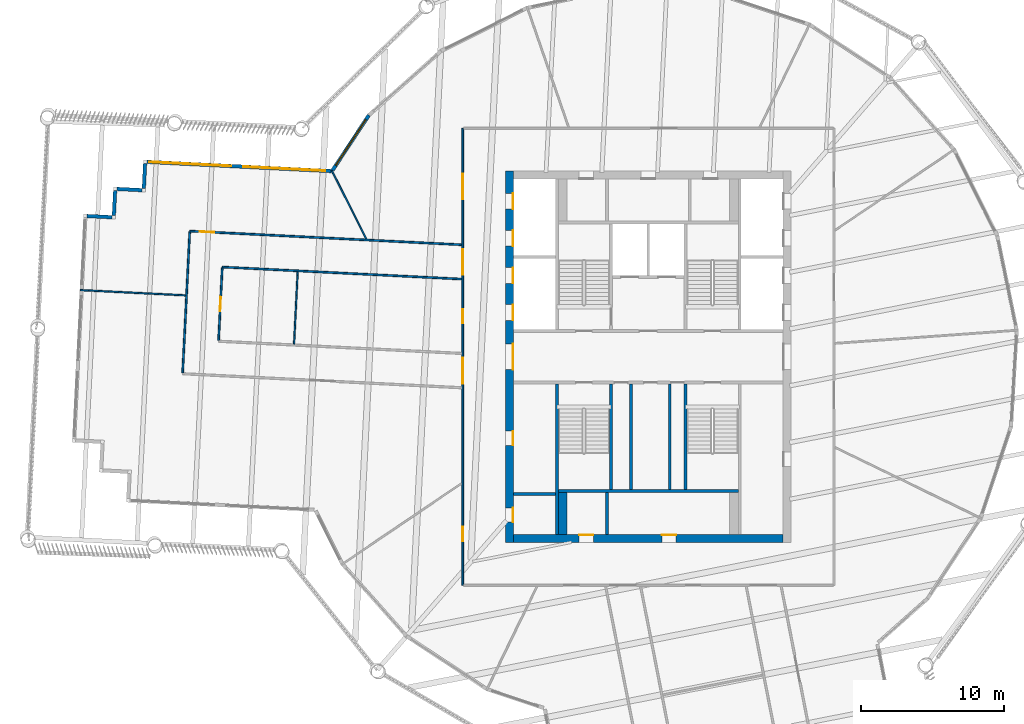
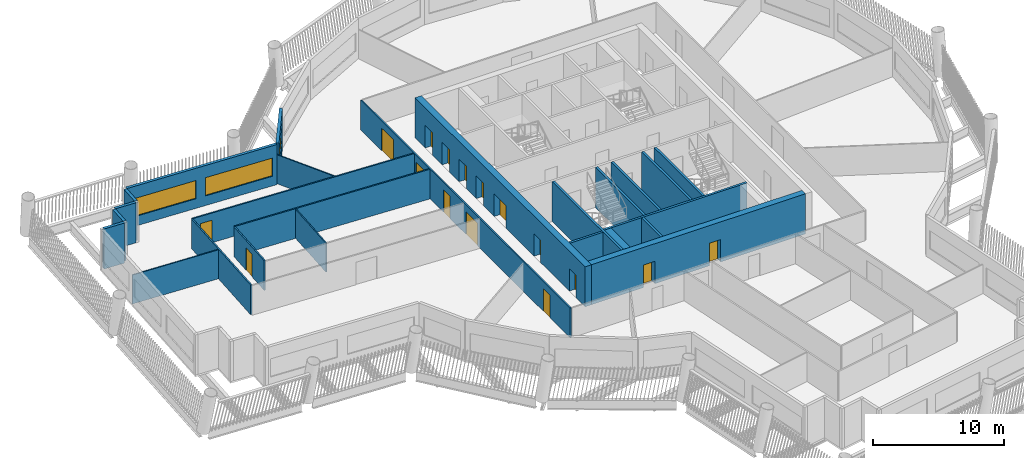
# One storey, part 4 of 14: 25 walls, 16 doors, 3 windows, 19 openings.
"""IFC4 building model written with IfcOpenShell, lengths in metres."""

from ifc_helpers import new_model, si_unit, direction, frame, frame_2d, origin, place, context, subcontext, project, spatial, rectangle, extrude, material, layer, layer_set, type_object, element, fill, save


model = new_model("IFC4")

# Units and contexts
model_context = context("Model", 3, precision=1e-05, world=origin(), true_north=direction((0.0, 1.0)))
body_context = subcontext(model_context, "Body", "Model", "MODEL_VIEW")
ifc_project = project(units=[si_unit("LENGTHUNIT", "METRE"), si_unit("AREAUNIT", "SQUARE_METRE"), si_unit("VOLUMEUNIT", "CUBIC_METRE"), si_unit("PLANEANGLEUNIT", "RADIAN"), si_unit("MASSUNIT", "GRAM", prefix="KILO")], contexts=[model_context])

# Site, building, storey
site_placement = place(None, origin())
site = spatial("IfcSite", under=ifc_project, at=site_placement, CompositionType="ELEMENT")
building_placement = place(site_placement, origin())
building = spatial("IfcBuilding", under=site, at=building_placement, Name="Tarsis Ring Headquarters", CompositionType="ELEMENT")
storey_placement = place(building_placement, frame((0.0, 0.0, 274.699951171875)))
storey = spatial("IfcBuildingStorey", under=building, at=storey_placement, Name="L64", CompositionType="ELEMENT", Elevation=274.699951171875)

# Walls
ifc_material_1 = material(Name="Blockwork", Category="masonry")
ifc_layer_1 = layer(ifc_material_1, 0.199951171875)
ifc_layer_set_1 = layer_set([ifc_layer_1], Name="Core blockwork wall 200")
wall_type_1 = type_object("IfcWallType", Name="Core blockwork wall 200", PredefinedType="PARTITIONING", material=ifc_layer_set_1)
for number, where, z_axis, x_axis, name in (
    (1, (-9.449951171875, -9.60009765625, 0.0), (0.0, 0.0, 1.0), (1.0, 0.0, 0.0), "Core partition WD1"),
    (2, (-2.89990234375, -12.449951171875, 0.0), (0.0, 0.0, 1.0), (0.0, 1.0, 0.0), "Core partition SD1"),
):
    element("IfcWall", number, at=place(storey_placement, frame(where, z_axis=z_axis, x_axis=x_axis)), inside=storey, type_object=wall_type_1, Name=name, PredefinedType="PARTITIONING", context=body_context, shape_type="SweptSolid", body=[
        extrude(rectangle(XDim=2.949951171875, YDim=0.199951171875, at=frame_2d((1.47509765625, 0.0))), origin(), (0.0, 0.0, 1.0), 3.739990234375),
    ])
for number, where, z_axis, x_axis, name in (
    (3, (-1.199951171875, -9.300048828125, 0.0), (0.0, 0.0, 1.0), (0.0, 1.0, 0.0), "Core partition SV1"),
    (4, (1.5, -9.300048828125, 0.0), (0.0, 0.0, 1.0), (0.0, 1.0, 0.0), "Core partition SV2"),
):
    element("IfcWall", number, at=place(storey_placement, frame(where, z_axis=z_axis, x_axis=x_axis)), inside=storey, type_object=wall_type_1, Name=name, PredefinedType="PARTITIONING", context=body_context, shape_type="SweptSolid", body=[
        extrude(rectangle(XDim=7.400146484375, YDim=0.199951171875, at=frame_2d((3.7001953125, 0.0))), origin(), (0.0, 0.0, 1.0), 3.739990234375),
    ])

# Wall, openings, doors
ifc_material_2 = material(Name="Concrete C50/60", Category="concrete")
ifc_layer_2 = layer(ifc_material_2, 0.550048828125)
ifc_layer_set_2 = layer_set([ifc_layer_2], Name="Core wall 550 C50/60")
wall_type_2 = type_object("IfcWallType", Name="Core wall 550 C50/60", PredefinedType="SHEAR", material=ifc_layer_set_2)
wall_1_placement = place(storey_placement, frame((-9.72509765625, -13.0, 0.0), z_axis=(0.0, 0.0, 1.0), x_axis=(0.0, 1.0, 0.0)))
wall_1 = element("IfcWall", 5, at=wall_1_placement, inside=storey, type_object=wall_type_2, Name="Core wall OW", PredefinedType="SHEAR", context=body_context, shape_type="SweptSolid", body=[
    extrude(rectangle(XDim=26.0, YDim=0.550048828125, at=frame_2d((13.0, 0.0))), origin(), (0.0, 0.0, 1.0), 3.739990234375),
])
opening_1_placement = place(wall_1_placement, frame((1.425048828125, 0.0, 0.0)))
opening_1 = element("IfcOpeningElement", 6, at=opening_1_placement, cuts=wall_1, Name="Opening L64-C01", PredefinedType="OPENING", context=body_context, shape_type="SweptSolid", body=[
    extrude(rectangle(XDim=1.0, YDim=2.10009765625, at=frame_2d((0.5, 1.050048828125))), frame((0.0, 0.284912109375, 0.0), z_axis=(0.0, -1.0, 0.0), x_axis=(1.0, 0.0, 0.0)), (0.0, 0.0, 1.0), 0.570068359375),
])
opening_2_placement = place(wall_1_placement, frame((6.800048828125, 0.0, 0.0)))
opening_2 = element("IfcOpeningElement", 7, at=opening_2_placement, cuts=wall_1, Name="Opening L64-C02", PredefinedType="OPENING", context=body_context, shape_type="SweptSolid", body=[
    extrude(rectangle(XDim=1.0, YDim=2.10009765625, at=frame_2d((0.5, 1.050048828125))), frame((0.0, 0.284912109375, 0.0), z_axis=(0.0, -1.0, 0.0), x_axis=(1.0, 0.0, 0.0)), (0.0, 0.0, 1.0), 0.570068359375),
])
opening_3_placement = place(wall_1_placement, frame((12.10009765625, 0.0, 0.0)))
opening_3 = element("IfcOpeningElement", 8, at=opening_3_placement, cuts=wall_1, Name="Opening L64-C03", PredefinedType="OPENING", context=body_context, shape_type="SweptSolid", body=[
    extrude(rectangle(XDim=1.800048828125, YDim=2.10009765625, at=frame_2d((0.89990234375, 1.050048828125))), frame((0.0, 0.284912109375, 0.0), z_axis=(0.0, -1.0, 0.0), x_axis=(1.0, 0.0, 0.0)), (0.0, 0.0, 1.0), 0.570068359375),
])
opening_4_placement = place(wall_1_placement, frame((15.550048828125, 0.0, 0.0)))
opening_4 = element("IfcOpeningElement", 9, at=opening_4_placement, cuts=wall_1, Name="Opening LD-HR1", PredefinedType="OPENING", context=body_context, shape_type="SweptSolid", body=[
    extrude(rectangle(XDim=1.10009765625, YDim=2.10009765625, at=frame_2d((0.550048828125, 1.050048828125))), frame((0.0, 0.284912109375, 0.0), z_axis=(0.0, -1.0, 0.0), x_axis=(1.0, 0.0, 0.0)), (0.0, 0.0, 1.0), 0.570068359375),
])
opening_5_placement = place(wall_1_placement, frame((18.14990234375, 0.0, 0.0)))
opening_5 = element("IfcOpeningElement", 10, at=opening_5_placement, cuts=wall_1, Name="Opening LD-HR2", PredefinedType="OPENING", context=body_context, shape_type="SweptSolid", body=[
    extrude(rectangle(XDim=1.10009765625, YDim=2.10009765625, at=frame_2d((0.550048828125, 1.050048828125))), frame((0.0, 0.284912109375, 0.0), z_axis=(0.0, -1.0, 0.0), x_axis=(1.0, 0.0, 0.0)), (0.0, 0.0, 1.0), 0.570068359375),
])
opening_6_placement = place(wall_1_placement, frame((20.75, 0.0, 0.0)))
opening_6 = element("IfcOpeningElement", 11, at=opening_6_placement, cuts=wall_1, Name="Opening LD-HR3", PredefinedType="OPENING", context=body_context, shape_type="SweptSolid", body=[
    extrude(rectangle(XDim=1.10009765625, YDim=2.10009765625, at=frame_2d((0.550048828125, 1.050048828125))), frame((0.0, 0.284912109375, 0.0), z_axis=(0.0, -1.0, 0.0), x_axis=(1.0, 0.0, 0.0)), (0.0, 0.0, 1.0), 0.570068359375),
])
opening_7_placement = place(wall_1_placement, frame((23.35009765625, 0.0, 0.0)))
opening_7 = element("IfcOpeningElement", 12, at=opening_7_placement, cuts=wall_1, Name="Opening LD-HR4", PredefinedType="OPENING", context=body_context, shape_type="SweptSolid", body=[
    extrude(rectangle(XDim=1.10009765625, YDim=2.10009765625, at=frame_2d((0.550048828125, 1.050048828125))), frame((0.0, 0.284912109375, 0.0), z_axis=(0.0, -1.0, 0.0), x_axis=(1.0, 0.0, 0.0)), (0.0, 0.0, 1.0), 0.570068359375),
])
ifc_material_3 = material(Name="Steel S355", Category="steel")
door_type_1 = type_object("IfcDoorType", Name="Core entry door 1800x2100", OperationType="DOUBLE_DOOR_SINGLE_SWING", PredefinedType="DOOR", material=ifc_material_3)
door_1_placement = place(opening_3_placement, origin())
door_1 = element("IfcDoor", 13, at=door_1_placement, inside=storey, type_object=door_type_1, Name="Core entry door L64", OperationType="DOUBLE_DOOR_SINGLE_SWING", OverallHeight=2.10009765625, OverallWidth=1.800048828125, PredefinedType="DOOR", context=body_context, shape_type="SweptSolid", body=[
    extrude(rectangle(XDim=1.800048828125, YDim=2.10009765625, at=frame_2d((0.89990234375, 1.050048828125))), frame((0.0, -0.22509765625, 0.0), z_axis=(0.0, -1.0, 0.0), x_axis=(1.0, 0.0, 0.0)), (0.0, 0.0, 1.0), 0.050048828125),
])
fill(opening_3, door_1)
door_type_2 = type_object("IfcDoorType", Name="Core room door 1000x2100", OperationType="SINGLE_SWING_LEFT", PredefinedType="DOOR", material=ifc_material_3)
door_2_placement = place(opening_1_placement, origin())
door_2 = element("IfcDoor", 14, at=door_2_placement, inside=storey, type_object=door_type_2, Name="Core room door L64", OperationType="SINGLE_SWING_LEFT", OverallHeight=2.10009765625, OverallWidth=1.0, PredefinedType="DOOR", context=body_context, shape_type="SweptSolid", body=[
    extrude(rectangle(XDim=1.0, YDim=2.10009765625, at=frame_2d((0.5, 1.050048828125))), frame((0.0, -0.22509765625, 0.0), z_axis=(0.0, -1.0, 0.0), x_axis=(1.0, 0.0, 0.0)), (0.0, 0.0, 1.0), 0.050048828125),
])
fill(opening_1, door_2)
door_3_placement = place(opening_2_placement, origin())
door_3 = element("IfcDoor", 15, at=door_3_placement, inside=storey, type_object=door_type_2, Name="Core room door L64", OperationType="SINGLE_SWING_LEFT", OverallHeight=2.10009765625, OverallWidth=1.0, PredefinedType="DOOR", context=body_context, shape_type="SweptSolid", body=[
    extrude(rectangle(XDim=1.0, YDim=2.10009765625, at=frame_2d((0.5, 1.050048828125))), frame((0.0, -0.22509765625, 0.0), z_axis=(0.0, -1.0, 0.0), x_axis=(1.0, 0.0, 0.0)), (0.0, 0.0, 1.0), 0.050048828125),
])
fill(opening_2, door_3)
door_type_3 = type_object("IfcDoorType", Name="Landing door 1100x2100", OperationType="SLIDING_TO_LEFT", PredefinedType="DOOR", material=ifc_material_3)
door_4_placement = place(opening_4_placement, origin())
door_4 = element("IfcDoor", 16, at=door_4_placement, inside=storey, type_object=door_type_3, Name="Landing door HR1 L64", OperationType="SLIDING_TO_LEFT", OverallHeight=2.10009765625, OverallWidth=1.10009765625, PredefinedType="DOOR", context=body_context, shape_type="SweptSolid", body=[
    extrude(rectangle(XDim=1.10009765625, YDim=2.10009765625, at=frame_2d((0.550048828125, 1.050048828125))), frame((0.0, -0.22509765625, 0.0), z_axis=(0.0, -1.0, 0.0), x_axis=(1.0, 0.0, 0.0)), (0.0, 0.0, 1.0), 0.050048828125),
])
fill(opening_4, door_4)
door_5_placement = place(opening_5_placement, origin())
door_5 = element("IfcDoor", 17, at=door_5_placement, inside=storey, type_object=door_type_3, Name="Landing door HR2 L64", OperationType="SLIDING_TO_LEFT", OverallHeight=2.10009765625, OverallWidth=1.10009765625, PredefinedType="DOOR", context=body_context, shape_type="SweptSolid", body=[
    extrude(rectangle(XDim=1.10009765625, YDim=2.10009765625, at=frame_2d((0.550048828125, 1.050048828125))), frame((0.0, -0.22509765625, 0.0), z_axis=(0.0, -1.0, 0.0), x_axis=(1.0, 0.0, 0.0)), (0.0, 0.0, 1.0), 0.050048828125),
])
fill(opening_5, door_5)
door_6_placement = place(opening_6_placement, origin())
door_6 = element("IfcDoor", 18, at=door_6_placement, inside=storey, type_object=door_type_3, Name="Landing door HR3 L64", OperationType="SLIDING_TO_LEFT", OverallHeight=2.10009765625, OverallWidth=1.10009765625, PredefinedType="DOOR", context=body_context, shape_type="SweptSolid", body=[
    extrude(rectangle(XDim=1.10009765625, YDim=2.10009765625, at=frame_2d((0.550048828125, 1.050048828125))), frame((0.0, -0.22509765625, 0.0), z_axis=(0.0, -1.0, 0.0), x_axis=(1.0, 0.0, 0.0)), (0.0, 0.0, 1.0), 0.050048828125),
])
fill(opening_6, door_6)
door_7_placement = place(opening_7_placement, origin())
door_7 = element("IfcDoor", 19, at=door_7_placement, inside=storey, type_object=door_type_3, Name="Landing door HR4 L64", OperationType="SLIDING_TO_LEFT", OverallHeight=2.10009765625, OverallWidth=1.10009765625, PredefinedType="DOOR", context=body_context, shape_type="SweptSolid", body=[
    extrude(rectangle(XDim=1.10009765625, YDim=2.10009765625, at=frame_2d((0.550048828125, 1.050048828125))), frame((0.0, -0.22509765625, 0.0), z_axis=(0.0, -1.0, 0.0), x_axis=(1.0, 0.0, 0.0)), (0.0, 0.0, 1.0), 0.050048828125),
])
fill(opening_7, door_7)

wall_2_placement = place(storey_placement, frame((-9.449951171875, -12.72509765625, 0.0), z_axis=(0.0, 0.0, 1.0), x_axis=(1.0, 0.0, 0.0)))
wall_2 = element("IfcWall", 20, at=wall_2_placement, inside=storey, type_object=wall_type_2, Name="Core wall OS", PredefinedType="SHEAR", context=body_context, shape_type="SweptSolid", body=[
    extrude(rectangle(XDim=18.89990234375, YDim=0.550048828125, at=frame_2d((9.449951171875, 0.0))), origin(), (0.0, 0.0, 1.0), 3.739990234375),
])
opening_8_placement = place(wall_2_placement, frame((4.60009765625, 0.0, 0.0)))
opening_8 = element("IfcOpeningElement", 21, at=opening_8_placement, cuts=wall_2, Name="Opening L64-C17", PredefinedType="OPENING", context=body_context, shape_type="SweptSolid", body=[
    extrude(rectangle(XDim=1.0, YDim=2.10009765625, at=frame_2d((0.5, 1.050048828125))), frame((0.0, 0.284912109375, 0.0), z_axis=(0.0, -1.0, 0.0), x_axis=(1.0, 0.0, 0.0)), (0.0, 0.0, 1.0), 0.570068359375),
])
opening_9_placement = place(wall_2_placement, frame((10.39990234375, 0.0, 0.0)))
opening_9 = element("IfcOpeningElement", 22, at=opening_9_placement, cuts=wall_2, Name="Opening L64-C18", PredefinedType="OPENING", context=body_context, shape_type="SweptSolid", body=[
    extrude(rectangle(XDim=1.0, YDim=2.10009765625, at=frame_2d((0.5, 1.050048828125))), frame((0.0, 0.284912109375, 0.0), z_axis=(0.0, -1.0, 0.0), x_axis=(1.0, 0.0, 0.0)), (0.0, 0.0, 1.0), 0.570068359375),
])
door_8_placement = place(opening_8_placement, origin())
door_8 = element("IfcDoor", 23, at=door_8_placement, inside=storey, type_object=door_type_2, Name="Core room door L64", OperationType="SINGLE_SWING_LEFT", OverallHeight=2.10009765625, OverallWidth=1.0, PredefinedType="DOOR", context=body_context, shape_type="SweptSolid", body=[
    extrude(rectangle(XDim=1.0, YDim=2.10009765625, at=frame_2d((0.5, 1.050048828125))), frame((0.0, 0.27490234375, 0.0), z_axis=(0.0, -1.0, 0.0), x_axis=(1.0, 0.0, 0.0)), (0.0, 0.0, 1.0), 0.050048828125),
])
fill(opening_8, door_8)
door_9_placement = place(opening_9_placement, origin())
door_9 = element("IfcDoor", 24, at=door_9_placement, inside=storey, type_object=door_type_2, Name="Core room door L64", OperationType="SINGLE_SWING_LEFT", OverallHeight=2.10009765625, OverallWidth=1.0, PredefinedType="DOOR", context=body_context, shape_type="SweptSolid", body=[
    extrude(rectangle(XDim=1.0, YDim=2.10009765625, at=frame_2d((0.5, 1.050048828125))), frame((0.0, 0.27490234375, 0.0), z_axis=(0.0, -1.0, 0.0), x_axis=(1.0, 0.0, 0.0)), (0.0, 0.0, 1.0), 0.050048828125),
])
fill(opening_9, door_9)

# Walls
ifc_material_4 = material(Name="Gypsum board on steel studs", Category="steel")
ifc_layer_3 = layer(ifc_material_4, 0.10009765625)
ifc_layer_set_3 = layer_set([ifc_layer_3], Name="FL partition 100 unrated")
wall_type_3 = type_object("IfcWallType", Name="FL partition 100 unrated", PredefinedType="PARTITIONING", material=ifc_layer_set_3)
wall_3_placement = place(storey_placement, frame((-39.765380859375, 4.673828125, 0.0), z_axis=(0.0, 0.0, 1.0), x_axis=(0.99873817255, -0.05022014228, 0.0)))
element("IfcWall", 25, at=wall_3_placement, inside=storey, type_object=wall_type_3, Name="Partition PW3", PredefinedType="PARTITIONING", context=body_context, shape_type="SweptSolid", body=[
    extrude(rectangle(XDim=7.369873046875, YDim=0.10009765625, at=frame_2d((3.68505859375, 0.0))), origin(), (0.0, 0.0, 1.0), 2.699951171875),
])
wall_4_placement = place(storey_placement, frame((-22.1748046875, 13.0556640625, 0.0), z_axis=(0.0, 0.0, 1.0), x_axis=(0.451950332757, -0.892043102502, 0.0)))
element("IfcWall", 26, at=wall_4_placement, inside=storey, type_object=wall_type_3, Name="Partition PW3", PredefinedType="PARTITIONING", context=body_context, shape_type="SweptSolid", body=[
    extrude(rectangle(XDim=5.373779296875, YDim=0.10009765625, at=frame_2d((2.68701171875, 0.0))), origin(), (0.0, 0.0, 1.0), 2.699951171875),
])
wall_5_placement = place(storey_placement, frame((-24.80615234375, 0.8974609375, 0.0), z_axis=(0.0, 0.0, 1.0), x_axis=(0.050226382173, 0.998737858767, 0.0)))
element("IfcWall", 27, at=wall_5_placement, inside=storey, type_object=wall_type_3, Name="Partition PW3", PredefinedType="PARTITIONING", context=body_context, shape_type="SweptSolid", body=[
    extrude(rectangle(XDim=5.06005859375, YDim=0.10009765625, at=frame_2d((2.530029296875, 0.0))), origin(), (0.0, 0.0, 1.0), 2.699951171875),
])

# Wall, openings, doors
ifc_layer_4 = layer(ifc_material_4, 0.125)
ifc_layer_set_4 = layer_set([ifc_layer_4], Name="FL partition 125 EI 60 H2770")
wall_type_4 = type_object("IfcWallType", Name="FL partition 125 EI 60 H2770", PredefinedType="PARTITIONING", material=ifc_layer_set_4)
wall_6_placement = place(storey_placement, frame((-13.0, -16.0, 0.0), z_axis=(0.0, 0.0, 1.0), x_axis=(0.0, 1.0, 0.0)))
wall_6 = element("IfcWall", 28, at=wall_6_placement, inside=storey, type_object=wall_type_4, Name="Partition PW1", PredefinedType="PARTITIONING", context=body_context, shape_type="SweptSolid", body=[
    extrude(rectangle(XDim=32.0, YDim=0.125, at=frame_2d((16.0, 0.0))), origin(), (0.0, 0.0, 1.0), 2.77001953125),
])
opening_10_placement = place(wall_6_placement, frame((27.021484375, 0.0, 0.0)))
opening_10 = element("IfcOpeningElement", 29, at=opening_10_placement, cuts=wall_6, Name="Opening D64.03", PredefinedType="OPENING", context=body_context, shape_type="SweptSolid", body=[
    extrude(rectangle(XDim=1.800048828125, YDim=2.10009765625, at=frame_2d((0.89990234375, 1.050048828125))), frame((0.0, 0.072509765625, 0.0), z_axis=(0.0, -1.0, 0.0), x_axis=(1.0, 0.0, 0.0)), (0.0, 0.0, 1.0), 0.14501953125),
])
opening_11_placement = place(wall_6_placement, frame((3.095947265625, 0.0, 0.0)))
opening_11 = element("IfcOpeningElement", 30, at=opening_11_placement, cuts=wall_6, Name="Opening D64.11", PredefinedType="OPENING", context=body_context, shape_type="SweptSolid", body=[
    extrude(rectangle(XDim=1.0, YDim=2.10009765625, at=frame_2d((0.5, 1.050048828125))), frame((0.0, 0.072509765625, 0.0), z_axis=(0.0, -1.0, 0.0), x_axis=(1.0, 0.0, 0.0)), (0.0, 0.0, 1.0), 0.14501953125),
])
opening_12_placement = place(wall_6_placement, frame((18.3369140625, 0.0, 0.0)))
opening_12 = element("IfcOpeningElement", 31, at=opening_12_placement, cuts=wall_6, Name="Opening D64.12", PredefinedType="OPENING", context=body_context, shape_type="SweptSolid", body=[
    extrude(rectangle(XDim=1.0, YDim=2.10009765625, at=frame_2d((0.5, 1.050048828125))), frame((0.0, 0.072509765625, 0.0), z_axis=(0.0, -1.0, 0.0), x_axis=(1.0, 0.0, 0.0)), (0.0, 0.0, 1.0), 0.14501953125),
])
opening_13_placement = place(wall_6_placement, frame((14.132080078125, 0.0, 0.0)))
opening_13 = element("IfcOpeningElement", 32, at=opening_13_placement, cuts=wall_6, Name="Opening D64.18", PredefinedType="OPENING", context=body_context, shape_type="SweptSolid", body=[
    extrude(rectangle(XDim=1.800048828125, YDim=2.10009765625, at=frame_2d((0.89990234375, 1.050048828125))), frame((0.0, 0.072509765625, 0.0), z_axis=(0.0, -1.0, 0.0), x_axis=(1.0, 0.0, 0.0)), (0.0, 0.0, 1.0), 0.14501953125),
])
opening_14_placement = place(wall_6_placement, frame((21.74169921875, 0.0, 0.0)))
opening_14 = element("IfcOpeningElement", 33, at=opening_14_placement, cuts=wall_6, Name="Opening D64.19", PredefinedType="OPENING", context=body_context, shape_type="SweptSolid", body=[
    extrude(rectangle(XDim=1.800048828125, YDim=2.10009765625, at=frame_2d((0.89990234375, 1.050048828125))), frame((0.0, 0.072509765625, 0.0), z_axis=(0.0, -1.0, 0.0), x_axis=(1.0, 0.0, 0.0)), (0.0, 0.0, 1.0), 0.14501953125),
])
ifc_material_5 = material(Name="Fire-rated timber door leaf in steel frame", Category="steel")
door_type_4 = type_object("IfcDoorType", Name="FL door FD60-1000", OperationType="NOTDEFINED", PredefinedType="DOOR", material=ifc_material_5)
door_10_placement = place(opening_11_placement, origin())
door_10 = element("IfcDoor", 34, at=door_10_placement, inside=storey, type_object=door_type_4, Name="Door D64.11", OperationType="SINGLE_SWING_LEFT", OverallHeight=2.10009765625, OverallWidth=1.0, PredefinedType="DOOR", context=body_context, shape_type="SweptSolid", body=[
    extrude(rectangle(XDim=1.0, YDim=2.10009765625, at=frame_2d((0.5, 1.050048828125))), frame((0.0, 0.02490234375, 0.0), z_axis=(0.0, -1.0, 0.0), x_axis=(1.0, 0.0, 0.0)), (0.0, 0.0, 1.0), 0.050048828125),
])
fill(opening_11, door_10)
door_11_placement = place(opening_12_placement, origin())
door_11 = element("IfcDoor", 35, at=door_11_placement, inside=storey, type_object=door_type_4, Name="Door D64.12", OperationType="SINGLE_SWING_RIGHT", OverallHeight=2.10009765625, OverallWidth=1.0, PredefinedType="DOOR", context=body_context, shape_type="SweptSolid", body=[
    extrude(rectangle(XDim=1.0, YDim=2.10009765625, at=frame_2d((0.5, 1.050048828125))), frame((0.0, 0.02490234375, 0.0), z_axis=(0.0, -1.0, 0.0), x_axis=(1.0, 0.0, 0.0)), (0.0, 0.0, 1.0), 0.050048828125),
])
fill(opening_12, door_11)
door_type_5 = type_object("IfcDoorType", Name="FL door FD60-1800", OperationType="DOUBLE_DOOR_SINGLE_SWING", PredefinedType="DOOR", material=ifc_material_5)
door_12_placement = place(opening_10_placement, origin())
door_12 = element("IfcDoor", 36, at=door_12_placement, inside=storey, type_object=door_type_5, Name="Door D64.03", OperationType="DOUBLE_DOOR_SINGLE_SWING", OverallHeight=2.10009765625, OverallWidth=1.800048828125, PredefinedType="DOOR", context=body_context, shape_type="SweptSolid", body=[
    extrude(rectangle(XDim=1.800048828125, YDim=2.10009765625, at=frame_2d((0.89990234375, 1.050048828125))), frame((0.0, 0.02490234375, 0.0), z_axis=(0.0, -1.0, 0.0), x_axis=(1.0, 0.0, 0.0)), (0.0, 0.0, 1.0), 0.050048828125),
])
fill(opening_10, door_12)
door_13_placement = place(opening_13_placement, origin())
door_13 = element("IfcDoor", 37, at=door_13_placement, inside=storey, type_object=door_type_5, Name="Door D64.18", OperationType="DOUBLE_DOOR_SINGLE_SWING", OverallHeight=2.10009765625, OverallWidth=1.800048828125, PredefinedType="DOOR", context=body_context, shape_type="SweptSolid", body=[
    extrude(rectangle(XDim=1.800048828125, YDim=2.10009765625, at=frame_2d((0.89990234375, 1.050048828125))), frame((0.0, 0.02490234375, 0.0), z_axis=(0.0, -1.0, 0.0), x_axis=(1.0, 0.0, 0.0)), (0.0, 0.0, 1.0), 0.050048828125),
])
fill(opening_13, door_13)
door_14_placement = place(opening_14_placement, origin())
door_14 = element("IfcDoor", 38, at=door_14_placement, inside=storey, type_object=door_type_5, Name="Door D64.19", OperationType="DOUBLE_DOOR_SINGLE_SWING", OverallHeight=2.10009765625, OverallWidth=1.800048828125, PredefinedType="DOOR", context=body_context, shape_type="SweptSolid", body=[
    extrude(rectangle(XDim=1.800048828125, YDim=2.10009765625, at=frame_2d((0.89990234375, 1.050048828125))), frame((0.0, 0.02490234375, 0.0), z_axis=(0.0, -1.0, 0.0), x_axis=(1.0, 0.0, 0.0)), (0.0, 0.0, 1.0), 0.050048828125),
])
fill(opening_14, door_14)

# Wall, opening, door
wall_7_placement = place(storey_placement, frame((-32.108154296875, 8.804443359375, 0.0), z_axis=(0.0, 0.0, 1.0), x_axis=(0.998736993347, -0.05024358786, 0.0)))
wall_7 = element("IfcWall", 39, at=wall_7_placement, inside=storey, type_object=wall_type_4, Name="Partition PW1", PredefinedType="PARTITIONING", context=body_context, shape_type="SweptSolid", body=[
    extrude(rectangle(XDim=19.0625, YDim=0.125, at=frame_2d((9.53125, 0.0))), origin(), (0.0, 0.0, 1.0), 2.77001953125),
])
opening_15_placement = place(wall_7_placement, frame((0.699951171875, 0.0, 0.0)))
opening_15 = element("IfcOpeningElement", 40, at=opening_15_placement, cuts=wall_7, Name="Opening D64.02", PredefinedType="OPENING", context=body_context, shape_type="SweptSolid", body=[
    extrude(rectangle(XDim=1.0, YDim=2.10009765625, at=frame_2d((0.5, 1.050048828125))), frame((0.0, 0.072509765625, 0.0), z_axis=(0.0, -1.0, 0.0), x_axis=(1.0, 0.0, 0.0)), (0.0, 0.0, 1.0), 0.14501953125),
])
door_15_placement = place(opening_15_placement, origin())
door_15 = element("IfcDoor", 41, at=door_15_placement, inside=storey, type_object=door_type_4, Name="Door D64.02", OperationType="SINGLE_SWING_RIGHT", OverallHeight=2.10009765625, OverallWidth=1.0, PredefinedType="DOOR", context=body_context, shape_type="SweptSolid", body=[
    extrude(rectangle(XDim=1.0, YDim=2.10009765625, at=frame_2d((0.5, 1.050048828125))), frame((0.0, 0.02490234375, 0.0), z_axis=(0.0, -1.0, 0.0), x_axis=(1.0, 0.0, 0.0)), (0.0, 0.0, 1.0), 0.050048828125),
])
fill(opening_15, door_15)

# Walls
wall_8_placement = place(storey_placement, frame((-29.831787109375, 6.286865234375, 0.0), z_axis=(0.0, 0.0, 1.0), x_axis=(0.998736946889, -0.050244511332, 0.0)))
element("IfcWall", 42, at=wall_8_placement, inside=storey, type_object=wall_type_4, Name="Partition PW1", PredefinedType="PARTITIONING", context=body_context, shape_type="SweptSolid", body=[
    extrude(rectangle(XDim=16.783203125, YDim=0.125, at=frame_2d((8.3916015625, 0.0))), origin(), (0.0, 0.0, 1.0), 2.77001953125),
])
wall_9_placement = place(storey_placement, frame((-32.607666015625, -1.123046875, 0.0), z_axis=(0.0, 0.0, 1.0), x_axis=(0.050261750887, 0.998736079451, 0.0)))
element("IfcWall", 43, at=wall_9_placement, inside=storey, type_object=wall_type_4, Name="Partition PW1", PredefinedType="PARTITIONING", context=body_context, shape_type="SweptSolid", body=[
    extrude(rectangle(XDim=9.8798828125, YDim=0.125, at=frame_2d((4.93994140625, 0.0))), origin(), (0.0, 0.0, 1.0), 2.77001953125),
])

# Wall, opening, door
wall_10_placement = place(storey_placement, frame((-30.090087890625, 1.1533203125, 0.0), z_axis=(0.0, 0.0, 1.0), x_axis=(0.05027079846, 0.998735624088, 0.0)))
wall_10 = element("IfcWall", 44, at=wall_10_placement, inside=storey, type_object=wall_type_4, Name="Partition PW1", PredefinedType="PARTITIONING", context=body_context, shape_type="SweptSolid", body=[
    extrude(rectangle(XDim=5.079833984375, YDim=0.125, at=frame_2d((2.5400390625, 0.0))), origin(), (0.0, 0.0, 1.0), 2.77001953125),
])
opening_16_placement = place(wall_10_placement, frame((2.0400390625, 0.0, 0.0)))
opening_16 = element("IfcOpeningElement", 45, at=opening_16_placement, cuts=wall_10, Name="Opening D64.13", PredefinedType="OPENING", context=body_context, shape_type="SweptSolid", body=[
    extrude(rectangle(XDim=1.0, YDim=2.10009765625, at=frame_2d((0.5, 1.050048828125))), frame((0.0, 0.072509765625, 0.0), z_axis=(0.0, -1.0, 0.0), x_axis=(1.0, 0.0, 0.0)), (0.0, 0.0, 1.0), 0.14501953125),
])
door_16_placement = place(opening_16_placement, origin())
door_16 = element("IfcDoor", 46, at=door_16_placement, inside=storey, type_object=door_type_4, Name="Door D64.13", OperationType="SINGLE_SWING_LEFT", OverallHeight=2.10009765625, OverallWidth=1.0, PredefinedType="DOOR", context=body_context, shape_type="SweptSolid", body=[
    extrude(rectangle(XDim=1.0, YDim=2.10009765625, at=frame_2d((0.5, 1.050048828125))), frame((0.0, 0.02490234375, 0.0), z_axis=(0.0, -1.0, 0.0), x_axis=(1.0, 0.0, 0.0)), (0.0, 0.0, 1.0), 0.050048828125),
])
fill(opening_16, door_16)

# Wall, opening, window
ifc_material_6 = material(Name="Terracotta clad insulated panel wall", Category="masonry")
ifc_layer_5 = layer(ifc_material_6, 0.25)
ifc_layer_set_5 = layer_set([ifc_layer_5], Name="Facade wall terracotta panel 250")
wall_type_5 = type_object("IfcWallType", Name="Facade wall terracotta panel 250", PredefinedType="STANDARD", material=ifc_layer_set_5)
wall_11_placement = place(storey_placement, frame((-19.57177734375, 16.920166015625, 0.0), z_axis=(0.0, 0.0, 1.0), x_axis=(-0.550214510869, -0.835023348194, 0.0)))
wall_11 = element("IfcWall", 47, at=wall_11_placement, inside=storey, type_object=wall_type_5, Name="External wall L64-30", PredefinedType="STANDARD", context=body_context, shape_type="SweptSolid", body=[
    extrude(rectangle(XDim=4.61767578125, YDim=0.25, at=frame_2d((2.308837890625, 0.0))), origin(), (0.0, 0.0, 1.0), 3.739990234375),
])
opening_17_placement = place(wall_11_placement, frame((0.367431640625, 0.0, 0.89990234375)))
opening_17 = element("IfcOpeningElement", 48, at=opening_17_placement, cuts=wall_11, Name="Opening WN02", PredefinedType="OPENING", context=body_context, shape_type="SweptSolid", body=[
    extrude(rectangle(XDim=3.85009765625, YDim=1.699951171875, at=frame_2d((1.925048828125, 0.85009765625))), frame((0.0, 0.135009765625, 0.0), z_axis=(0.0, -1.0, 0.0), x_axis=(1.0, 0.0, 0.0)), (0.0, 0.0, 1.0), 0.27001953125),
])
ifc_material_7 = material(Name="Aluminium framed double glazing", Category="aluminium")
window_type_1 = type_object("IfcWindowType", Name="Facade window 3850 x 1700", PartitioningType="SINGLE_PANEL", PredefinedType="WINDOW", material=ifc_material_7)
window_1_placement = place(opening_17_placement, origin())
window_1 = element("IfcWindow", 49, at=window_1_placement, inside=storey, type_object=window_type_1, Name="Window L64-30.1", OverallHeight=1.699951171875, OverallWidth=3.85009765625, PartitioningType="SINGLE_PANEL", PredefinedType="WINDOW", context=body_context, shape_type="SweptSolid", body=[
    extrude(rectangle(XDim=3.85009765625, YDim=1.699951171875, at=frame_2d((1.925048828125, 0.85009765625))), frame((0.0, 0.030029296875, 0.0), z_axis=(0.0, -1.0, 0.0), x_axis=(1.0, 0.0, 0.0)), (0.0, 0.0, 1.0), 0.06005859375),
])
fill(opening_17, window_1)

# Wall, openings, windows
wall_12_placement = place(storey_placement, frame((-22.22314453125, 13.008056640625, 0.0), z_axis=(0.0, 0.0, 1.0), x_axis=(-0.998737049556, 0.050242470519, 0.0)))
wall_12 = element("IfcWall", 50, at=wall_12_placement, inside=storey, type_object=wall_type_5, Name="External wall L64-31", PredefinedType="STANDARD", context=body_context, shape_type="SweptSolid", body=[
    extrude(rectangle(XDim=12.9013671875, YDim=0.25, at=frame_2d((6.45068359375, 0.0))), origin(), (0.0, 0.0, 1.0), 3.739990234375),
])
opening_18_placement = place(wall_12_placement, frame((0.412841796875, 0.0, 0.89990234375)))
opening_18 = element("IfcOpeningElement", 51, at=opening_18_placement, cuts=wall_12, Name="Opening WN06", PredefinedType="OPENING", context=body_context, shape_type="SweptSolid", body=[
    extrude(rectangle(XDim=5.75, YDim=1.699951171875, at=frame_2d((2.875, 0.85009765625))), frame((0.0, 0.135009765625, 0.0), z_axis=(0.0, -1.0, 0.0), x_axis=(1.0, 0.0, 0.0)), (0.0, 0.0, 1.0), 0.27001953125),
])
opening_19_placement = place(wall_12_placement, frame((6.988525390625, 0.0, 0.89990234375)))
opening_19 = element("IfcOpeningElement", 52, at=opening_19_placement, cuts=wall_12, Name="Opening WN06", PredefinedType="OPENING", context=body_context, shape_type="SweptSolid", body=[
    extrude(rectangle(XDim=5.75, YDim=1.699951171875, at=frame_2d((2.875, 0.85009765625))), frame((0.0, 0.135009765625, 0.0), z_axis=(0.0, -1.0, 0.0), x_axis=(1.0, 0.0, 0.0)), (0.0, 0.0, 1.0), 0.27001953125),
])
window_type_2 = type_object("IfcWindowType", Name="Facade window 5750 x 1700", PartitioningType="SINGLE_PANEL", PredefinedType="WINDOW", material=ifc_material_7)
window_2_placement = place(opening_18_placement, origin())
window_2 = element("IfcWindow", 53, at=window_2_placement, inside=storey, type_object=window_type_2, Name="Window L64-31.1", OverallHeight=1.699951171875, OverallWidth=5.75, PartitioningType="SINGLE_PANEL", PredefinedType="WINDOW", context=body_context, shape_type="SweptSolid", body=[
    extrude(rectangle(XDim=5.75, YDim=1.699951171875, at=frame_2d((2.875, 0.85009765625))), frame((0.0, 0.030029296875, 0.0), z_axis=(0.0, -1.0, 0.0), x_axis=(1.0, 0.0, 0.0)), (0.0, 0.0, 1.0), 0.06005859375),
])
fill(opening_18, window_2)
window_3_placement = place(opening_19_placement, origin())
window_3 = element("IfcWindow", 54, at=window_3_placement, inside=storey, type_object=window_type_2, Name="Window L64-31.2", OverallHeight=1.699951171875, OverallWidth=5.75, PartitioningType="SINGLE_PANEL", PredefinedType="WINDOW", context=body_context, shape_type="SweptSolid", body=[
    extrude(rectangle(XDim=5.75, YDim=1.699951171875, at=frame_2d((2.875, 0.85009765625))), frame((0.0, 0.030029296875, 0.0), z_axis=(0.0, -1.0, 0.0), x_axis=(1.0, 0.0, 0.0)), (0.0, 0.0, 1.0), 0.06005859375),
])
fill(opening_19, window_3)

# Walls
for number, where, z_axis, x_axis, name in (
    (55, (-35.2392578125, 13.53759765625, 0.0), (0.0, 0.0, 1.0), (-0.050222893186, -0.998738034221, 0.0), "External wall L64-32"),
    (56, (-35.458251953125, 11.67138671875, 0.0), (0.0, 0.0, 1.0), (-0.998738034221, 0.050222893186, 0.0), "External wall L64-33"),
    (57, (-37.337158203125, 11.640625, 0.0), (0.0, 0.0, 1.0), (-0.050362047872, -0.998731026921, 0.0), "External wall L64-34"),
    (58, (-37.556396484375, 9.7744140625, 0.0), (0.0, 0.0, 1.0), (-0.998738034221, 0.050222893186, 0.0), "External wall L64-35"),
):
    element("IfcWall", number, at=place(storey_placement, frame(where, z_axis=z_axis, x_axis=x_axis)), inside=storey, type_object=wall_type_5, Name=name, PredefinedType="STANDARD", context=body_context, shape_type="SweptSolid", body=[
        extrude(rectangle(XDim=1.75, YDim=0.25, at=frame_2d((0.875, 0.0))), origin(), (0.0, 0.0, 1.0), 3.739990234375),
    ])
ifc_material_8 = material(Name="Concrete C32/40", Category="concrete")
ifc_layer_6 = layer(ifc_material_8, 0.60009765625)
ifc_layer_set_6 = layer_set([ifc_layer_6], Name="Shaft end wall 600 C32/40")
wall_type_6 = type_object("IfcWallType", Name="Shaft end wall 600 C32/40", PredefinedType="SOLIDWALL", material=ifc_layer_set_6)
wall_13_placement = place(storey_placement, frame((-6.0, -12.449951171875, 0.0), z_axis=(0.0, 0.0, 1.0), x_axis=(0.0, 1.0, 0.0)))
element("IfcWall", 59, at=wall_13_placement, inside=storey, type_object=wall_type_6, Name="Core shaft wall SNE1", PredefinedType="SOLIDWALL", context=body_context, shape_type="SweptSolid", body=[
    extrude(rectangle(XDim=2.949951171875, YDim=0.60009765625, at=frame_2d((1.47509765625, 0.0))), origin(), (0.0, 0.0, 1.0), 3.739990234375),
])
ifc_layer_7 = layer(ifc_material_8, 0.199951171875)
ifc_layer_set_7 = layer_set([ifc_layer_7], Name="Shaft wall 200 C32/40")
wall_type_7 = type_object("IfcWallType", Name="Shaft wall 200 C32/40", PredefinedType="SOLIDWALL", material=ifc_layer_set_7)
wall_14_placement = place(storey_placement, frame((-6.39990234375, -12.449951171875, 0.0), z_axis=(0.0, 0.0, 1.0), x_axis=(0.0, 1.0, 0.0)))
element("IfcWall", 60, at=wall_14_placement, inside=storey, type_object=wall_type_7, Name="Core shaft wall WB1", PredefinedType="SOLIDWALL", context=body_context, shape_type="SweptSolid", body=[
    extrude(rectangle(XDim=10.550048828125, YDim=0.199951171875, at=frame_2d((5.27490234375, 0.0))), origin(), (0.0, 0.0, 1.0), 3.739990234375),
])
wall_15_placement = place(storey_placement, frame((-6.300048828125, -9.39990234375, 0.0), z_axis=(0.0, 0.0, 1.0), x_axis=(1.0, 0.0, 0.0)))
element("IfcWall", 61, at=wall_15_placement, inside=storey, type_object=wall_type_7, Name="Core shaft wall SB", PredefinedType="SOLIDWALL", context=body_context, shape_type="SweptSolid", body=[
    extrude(rectangle(XDim=12.60009765625, YDim=0.199951171875, at=frame_2d((6.300048828125, 0.0))), origin(), (0.0, 0.0, 1.0), 3.739990234375),
])
for number, where, z_axis, x_axis, name in (
    (62, (-2.60009765625, -9.300048828125, 0.0), (0.0, 0.0, 1.0), (0.0, 1.0, 0.0), "Core shaft wall SW3"),
    (63, (2.60009765625, -9.300048828125, 0.0), (0.0, 0.0, 1.0), (0.0, 1.0, 0.0), "Core shaft wall SW4"),
):
    element("IfcWall", number, at=place(storey_placement, frame(where, z_axis=z_axis, x_axis=x_axis)), inside=storey, type_object=wall_type_7, Name=name, PredefinedType="SOLIDWALL", context=body_context, shape_type="SweptSolid", body=[
        extrude(rectangle(XDim=7.400146484375, YDim=0.199951171875, at=frame_2d((3.7001953125, 0.0))), origin(), (0.0, 0.0, 1.0), 3.739990234375),
    ])

save(model, "model.ifc")
